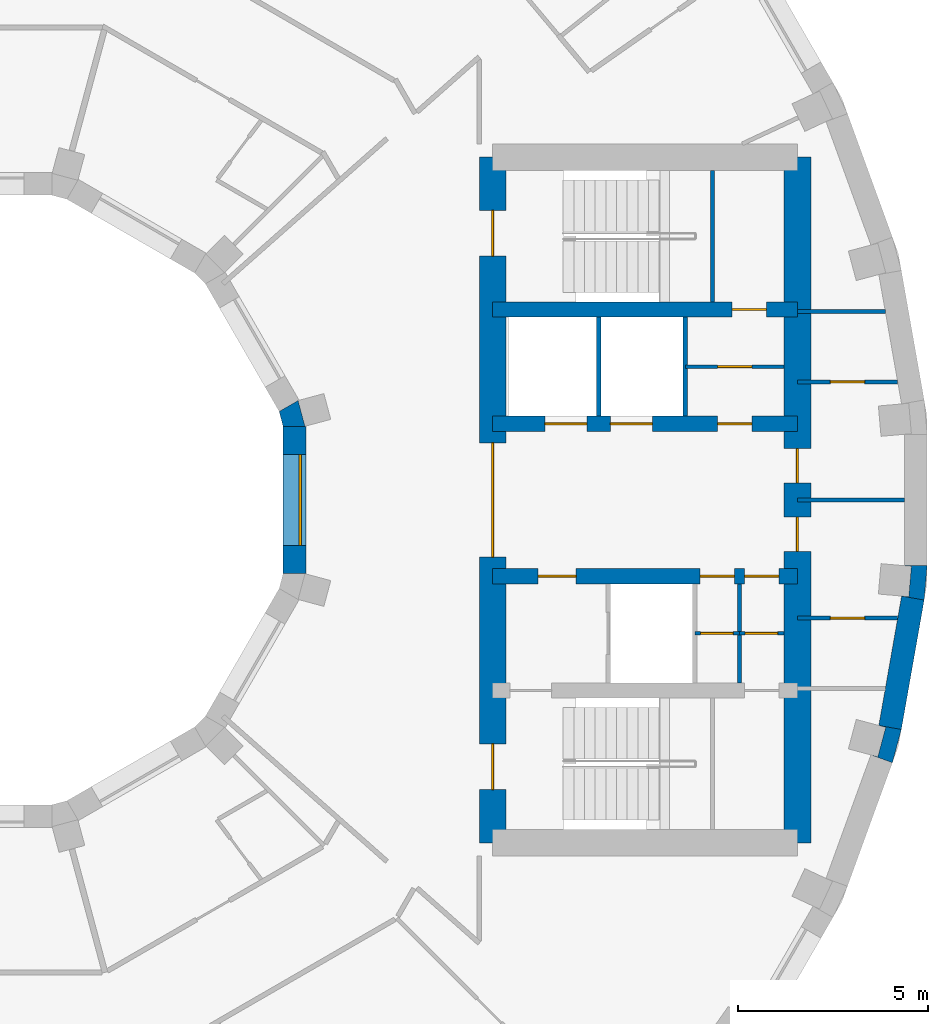
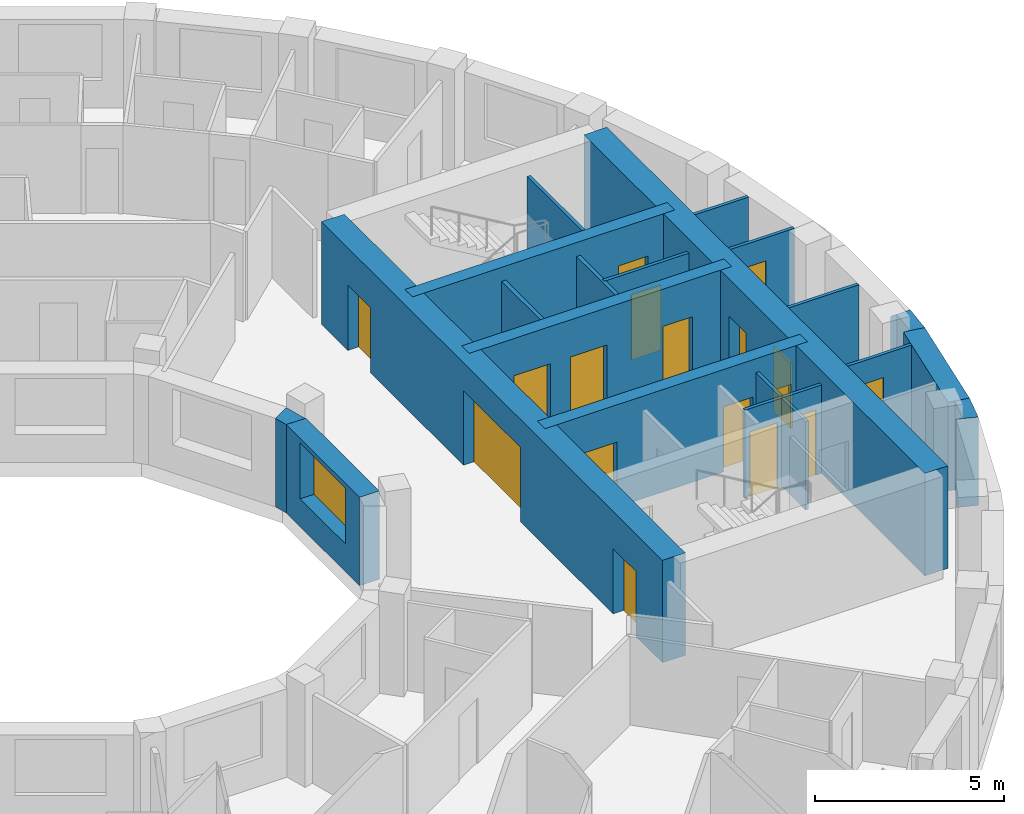
# One storey, part 9 of 14: 21 walls, 17 doors, 1 window, 18 openings.
"""IFC4 building model written with IfcOpenShell, lengths in metres."""

from ifc_helpers import new_model, si_unit, direction, frame, frame_2d, origin, place, context, subcontext, project, spatial, polyline, rectangle, outline, extrude, material, layer, layer_set, type_object, element, fill, save


model = new_model("IFC4")

# Units and contexts
model_context = context("Model", 3, precision=1e-05, world=origin(), true_north=direction((0.0, 1.0)))
body_context = subcontext(model_context, "Body", "Model", "MODEL_VIEW")
ifc_project = project(units=[si_unit("LENGTHUNIT", "METRE"), si_unit("AREAUNIT", "SQUARE_METRE"), si_unit("VOLUMEUNIT", "CUBIC_METRE"), si_unit("PLANEANGLEUNIT", "RADIAN"), si_unit("MASSUNIT", "GRAM", prefix="KILO")], contexts=[model_context])

# Site, building, storey
site_placement = place(None, origin())
site = spatial("IfcSite", under=ifc_project, at=site_placement, CompositionType="ELEMENT")
building_placement = place(site_placement, origin())
building = spatial("IfcBuilding", under=site, at=building_placement, Name="Saqina Gate Tower", CompositionType="ELEMENT")
storey_placement = place(building_placement, frame((0.0, 0.0, 210.300048828125)))
storey = spatial("IfcBuildingStorey", under=building, at=storey_placement, Name="L60", CompositionType="ELEMENT", Elevation=210.300048828125)

# Walls
ifc_material_1 = material(Name="Brick masonry (buff)", Category="masonry")
wall_type_1 = type_object("IfcWallType", Name="BRICK PIER COPING BUFF", PredefinedType="SOLIDWALL", material=ifc_material_1)
wall_1_placement = place(storey_placement, origin())
element("IfcWall", 1, at=wall_1_placement, inside=storey, type_object=wall_type_1, Name="Pier cap L60 column 35", PredefinedType="SOLIDWALL", context=body_context, shape_type="SweptSolid", body=[
    extrude(outline(polyline([(24.22705078125, -6.0234375), (23.635986328125, -5.919189453125), (23.81689453125, -5.967529296875), (23.610107421875, -6.740478515625), (23.428955078125, -6.69189453125), (23.992919921875, -6.897216796875), (24.22705078125, -6.0234375)])), origin(), (0.0, 0.0, 1.0), 2.849853515625),
])
wall_2_placement = place(storey_placement, origin())
element("IfcWall", 2, at=wall_2_placement, inside=storey, type_object=wall_type_1, Name="Pier cap L60 column 36", PredefinedType="SOLIDWALL", context=body_context, shape_type="SweptSolid", body=[
    extrude(outline(polyline([(24.825927734375, -2.6259765625), (24.90478515625, -1.724853515625), (24.304931640625, -1.724853515625), (24.491455078125, -1.7412109375), (24.421630859375, -2.5380859375), (24.235107421875, -2.521728515625), (24.825927734375, -2.6259765625)])), origin(), (0.0, 0.0, 1.0), 2.849853515625),
])
ifc_material_2 = material(Name="Gypsum board on steel studs", Category="steel")
ifc_layer_1 = layer(ifc_material_2, 0.10009765625)
ifc_layer_set_1 = layer_set([ifc_layer_1], Name="CORE PARTITION")
wall_type_2 = type_object("IfcWallType", Name="CORE PARTITION", PredefinedType="PARTITIONING", material=ifc_layer_set_1)
wall_3_placement = place(storey_placement, frame((21.5, 4.949951171875, 0.0), z_axis=(0.0, 0.0, 1.0), x_axis=(1.0, 0.0, 0.0)))
element("IfcWall", 3, at=wall_3_placement, inside=storey, type_object=wall_type_2, Name="L60-CP-E01", PredefinedType="PARTITIONING", context=body_context, shape_type="SweptSolid", body=[
    extrude(rectangle(XDim=2.306884765625, YDim=0.10009765625, at=frame_2d((1.1533203125, 0.0))), origin(), (0.0, 0.0, 1.0), 2.849853515625),
])

# Wall, opening, door
wall_4_placement = place(storey_placement, frame((21.5, 3.10009765625, 0.0), z_axis=(0.0, 0.0, 1.0), x_axis=(1.0, 0.0, 0.0)))
wall_4 = element("IfcWall", 4, at=wall_4_placement, inside=storey, type_object=wall_type_2, Name="L60-CP-E02", PredefinedType="PARTITIONING", context=body_context, shape_type="SweptSolid", body=[
    extrude(rectangle(XDim=2.63330078125, YDim=0.10009765625, at=frame_2d((1.316650390625, 0.0))), origin(), (0.0, 0.0, 1.0), 2.849853515625),
])
opening_1_placement = place(wall_4_placement, frame((0.86669921875, 0.0, 0.0)))
opening_1 = element("IfcOpeningElement", 5, at=opening_1_placement, cuts=wall_4, Name="Opening G18-D94", PredefinedType="OPENING", context=body_context, shape_type="SweptSolid", body=[
    extrude(rectangle(XDim=0.89990234375, YDim=2.10009765625, at=frame_2d((0.449951171875, 1.050048828125))), frame((0.0, 0.06201171875, 0.0), z_axis=(0.0, -1.0, 0.0), x_axis=(1.0, 0.0, 0.0)), (0.0, 0.0, 1.0), 0.1240234375),
])
ifc_material_3 = material(Name="Steel-framed fire door leaf, EI 60", Category="steel")
door_type_1 = type_object("IfcDoorType", Name="SERVICE ROOM DOOR 900", OperationType="SINGLE_SWING_LEFT", PredefinedType="DOOR", material=ifc_material_3)
door_1_placement = place(opening_1_placement, frame((0.89990234375, 0.0, 0.0), z_axis=(0.0, 0.0, 1.0), x_axis=(-1.0, 0.0, 0.0)))
door_1 = element("IfcDoor", 6, at=door_1_placement, inside=storey, type_object=door_type_1, Name="L60-CD-E05", OperationType="SINGLE_SWING_RIGHT", OverallHeight=2.10009765625, OverallWidth=0.89990234375, PredefinedType="DOOR", context=body_context, shape_type="SweptSolid", body=[
    extrude(rectangle(XDim=0.89990234375, YDim=2.10009765625, at=frame_2d((0.449951171875, 1.050048828125))), frame((0.0, 0.02490234375, 0.0), z_axis=(0.0, -1.0, 0.0), x_axis=(1.0, 0.0, 0.0)), (0.0, 0.0, 1.0), 0.050048828125),
])
fill(opening_1, door_1)

wall_5_placement = place(storey_placement, frame((21.5, -3.10009765625, 0.0), z_axis=(0.0, 0.0, 1.0), x_axis=(1.0, 0.0, 0.0)))
wall_5 = element("IfcWall", 7, at=wall_5_placement, inside=storey, type_object=wall_type_2, Name="L60-CP-E04", PredefinedType="PARTITIONING", context=body_context, shape_type="SweptSolid", body=[
    extrude(rectangle(XDim=2.63330078125, YDim=0.10009765625, at=frame_2d((1.316650390625, 0.0))), origin(), (0.0, 0.0, 1.0), 2.849853515625),
])
opening_2_placement = place(wall_5_placement, frame((0.86669921875, 0.0, 0.0)))
opening_2 = element("IfcOpeningElement", 8, at=opening_2_placement, cuts=wall_5, Name="Opening G18-D96", PredefinedType="OPENING", context=body_context, shape_type="SweptSolid", body=[
    extrude(rectangle(XDim=0.89990234375, YDim=2.10009765625, at=frame_2d((0.449951171875, 1.050048828125))), frame((0.0, 0.06201171875, 0.0), z_axis=(0.0, -1.0, 0.0), x_axis=(1.0, 0.0, 0.0)), (0.0, 0.0, 1.0), 0.1240234375),
])
door_2_placement = place(opening_2_placement, origin())
door_2 = element("IfcDoor", 9, at=door_2_placement, inside=storey, type_object=door_type_1, Name="L60-CD-E07", OperationType="SINGLE_SWING_LEFT", OverallHeight=2.10009765625, OverallWidth=0.89990234375, PredefinedType="DOOR", context=body_context, shape_type="SweptSolid", body=[
    extrude(rectangle(XDim=0.89990234375, YDim=2.10009765625, at=frame_2d((0.449951171875, 1.050048828125))), frame((0.0, 0.02490234375, 0.0), z_axis=(0.0, -1.0, 0.0), x_axis=(1.0, 0.0, 0.0)), (0.0, 0.0, 1.0), 0.050048828125),
])
fill(opening_2, door_2)

# Walls
wall_6_placement = place(storey_placement, frame((21.5, 0.0, 0.0), z_axis=(0.0, 0.0, 1.0), x_axis=(1.0, 0.0, 0.0)))
element("IfcWall", 10, at=wall_6_placement, inside=storey, type_object=wall_type_2, Name="L60-CP-E05", PredefinedType="PARTITIONING", context=body_context, shape_type="SweptSolid", body=[
    extrude(rectangle(XDim=2.804931640625, YDim=0.10009765625, at=frame_2d((1.40234375, 0.0))), origin(), (0.0, 0.0, 1.0), 2.849853515625),
])
wall_7_placement = place(storey_placement, frame((19.97998046875, -4.800048828125, 0.0), z_axis=(0.0, 0.0, 1.0), x_axis=(0.0, 1.0, 0.0)))
element("IfcWall", 11, at=wall_7_placement, inside=storey, type_object=wall_type_2, Name="L60-CP-E10", PredefinedType="PARTITIONING", context=body_context, shape_type="SweptSolid", body=[
    extrude(rectangle(XDim=2.60009765625, YDim=0.10009765625, at=frame_2d((1.300048828125, 0.0))), origin(), (0.0, 0.0, 1.0), 2.849853515625),
])

# Wall, opening, door
wall_8_placement = place(storey_placement, frame((18.56005859375, 3.5, 0.0), z_axis=(0.0, 0.0, 1.0), x_axis=(1.0, 0.0, 0.0)))
wall_8 = element("IfcWall", 12, at=wall_8_placement, inside=storey, type_object=wall_type_2, Name="L60-CP-E11", PredefinedType="PARTITIONING", context=body_context, shape_type="SweptSolid", body=[
    extrude(rectangle(XDim=2.58984375, YDim=0.10009765625, at=frame_2d((1.294921875, 0.0))), origin(), (0.0, 0.0, 1.0), 2.849853515625),
])
opening_3_placement = place(wall_8_placement, frame((0.844970703125, 0.0, 0.0)))
opening_3 = element("IfcOpeningElement", 13, at=opening_3_placement, cuts=wall_8, Name="Opening G18-D98", PredefinedType="OPENING", context=body_context, shape_type="SweptSolid", body=[
    extrude(rectangle(XDim=0.89990234375, YDim=2.10009765625, at=frame_2d((0.449951171875, 1.050048828125))), frame((0.0, 0.06201171875, 0.0), z_axis=(0.0, -1.0, 0.0), x_axis=(1.0, 0.0, 0.0)), (0.0, 0.0, 1.0), 0.1240234375),
])
door_3_placement = place(opening_3_placement, origin())
door_3 = element("IfcDoor", 14, at=door_3_placement, inside=storey, type_object=door_type_1, Name="L60-CD-E09", OperationType="SINGLE_SWING_RIGHT", OverallHeight=2.10009765625, OverallWidth=0.89990234375, PredefinedType="DOOR", context=body_context, shape_type="SweptSolid", body=[
    extrude(rectangle(XDim=0.89990234375, YDim=2.10009765625, at=frame_2d((0.449951171875, 1.050048828125))), frame((0.0, 0.02490234375, 0.0), z_axis=(0.0, -1.0, 0.0), x_axis=(1.0, 0.0, 0.0)), (0.0, 0.0, 1.0), 0.050048828125),
])
fill(opening_3, door_3)

wall_9_placement = place(storey_placement, frame((18.81005859375, -3.5, 0.0), z_axis=(0.0, 0.0, 1.0), x_axis=(1.0, 0.0, 0.0)))
wall_9 = element("IfcWall", 15, at=wall_9_placement, inside=storey, type_object=wall_type_2, Name="L60-CP-E12", PredefinedType="PARTITIONING", context=body_context, shape_type="SweptSolid", body=[
    extrude(rectangle(XDim=1.169921875, YDim=0.10009765625, at=frame_2d((0.5849609375, 0.0))), origin(), (0.0, 0.0, 1.0), 2.849853515625),
])
opening_4_placement = place(wall_9_placement, frame((0.14990234375, 0.0, 0.0)))
opening_4 = element("IfcOpeningElement", 16, at=opening_4_placement, cuts=wall_9, Name="Opening G18-D100", PredefinedType="OPENING", context=body_context, shape_type="SweptSolid", body=[
    extrude(rectangle(XDim=0.85009765625, YDim=2.10009765625, at=frame_2d((0.425048828125, 1.050048828125))), frame((0.0, 0.06201171875, 0.0), z_axis=(0.0, -1.0, 0.0), x_axis=(1.0, 0.0, 0.0)), (0.0, 0.0, 1.0), 0.1240234375),
])
ifc_material_4 = material(Name="Steel-framed fire door leaf, EI 60", Category="steel")
door_type_2 = type_object("IfcDoorType", Name="SERVICE ROOM DOOR 850", OperationType="SINGLE_SWING_LEFT", PredefinedType="DOOR", material=ifc_material_4)
door_4_placement = place(opening_4_placement, frame((0.85009765625, 0.0, 0.0), z_axis=(0.0, 0.0, 1.0), x_axis=(-1.0, 0.0, 0.0)))
door_4 = element("IfcDoor", 17, at=door_4_placement, inside=storey, type_object=door_type_2, Name="L60-CD-E11", OperationType="SINGLE_SWING_RIGHT", OverallHeight=2.10009765625, OverallWidth=0.85009765625, PredefinedType="DOOR", context=body_context, shape_type="SweptSolid", body=[
    extrude(rectangle(XDim=0.85009765625, YDim=2.10009765625, at=frame_2d((0.425048828125, 1.050048828125))), frame((0.0, 0.02490234375, 0.0), z_axis=(0.0, -1.0, 0.0), x_axis=(1.0, 0.0, 0.0)), (0.0, 0.0, 1.0), 0.050048828125),
])
fill(opening_4, door_4)

wall_10_placement = place(storey_placement, frame((19.97998046875, -3.5, 0.0), z_axis=(0.0, 0.0, 1.0), x_axis=(1.0, 0.0, 0.0)))
wall_10 = element("IfcWall", 18, at=wall_10_placement, inside=storey, type_object=wall_type_2, Name="L60-CP-E13", PredefinedType="PARTITIONING", context=body_context, shape_type="SweptSolid", body=[
    extrude(rectangle(XDim=1.169921875, YDim=0.10009765625, at=frame_2d((0.5849609375, 0.0))), origin(), (0.0, 0.0, 1.0), 2.849853515625),
])
opening_5_placement = place(wall_10_placement, frame((0.14990234375, 0.0, 0.0)))
opening_5 = element("IfcOpeningElement", 19, at=opening_5_placement, cuts=wall_10, Name="Opening G18-D101", PredefinedType="OPENING", context=body_context, shape_type="SweptSolid", body=[
    extrude(rectangle(XDim=0.85009765625, YDim=2.10009765625, at=frame_2d((0.425048828125, 1.050048828125))), frame((0.0, 0.06201171875, 0.0), z_axis=(0.0, -1.0, 0.0), x_axis=(1.0, 0.0, 0.0)), (0.0, 0.0, 1.0), 0.1240234375),
])
door_5_placement = place(opening_5_placement, frame((0.85009765625, 0.0, 0.0), z_axis=(0.0, 0.0, 1.0), x_axis=(-1.0, 0.0, 0.0)))
door_5 = element("IfcDoor", 20, at=door_5_placement, inside=storey, type_object=door_type_2, Name="L60-CD-E12", OperationType="SINGLE_SWING_LEFT", OverallHeight=2.10009765625, OverallWidth=0.85009765625, PredefinedType="DOOR", context=body_context, shape_type="SweptSolid", body=[
    extrude(rectangle(XDim=0.85009765625, YDim=2.10009765625, at=frame_2d((0.425048828125, 1.050048828125))), frame((0.0, 0.02490234375, 0.0), z_axis=(0.0, -1.0, 0.0), x_axis=(1.0, 0.0, 0.0)), (0.0, 0.0, 1.0), 0.050048828125),
])
fill(opening_5, door_5)

# Wall
ifc_material_5 = material(Name="Glazed ceramic tile", Category="ceramic")
ifc_layer_2 = layer(ifc_material_5, 0.60009765625)
ifc_layer_set_2 = layer_set([ifc_layer_2], Name="FW-TILE")
wall_type_3 = type_object("IfcWallType", Name="FW-TILE", PredefinedType="SOLIDWALL", material=ifc_layer_set_2)
wall_11_placement = place(storey_placement, frame((23.931640625, -5.97119140625, 0.0), z_axis=(0.0, 0.0, 1.0), x_axis=(0.173607684551, 0.984814892183, 0.0)))
element("IfcWall", 21, at=wall_11_placement, inside=storey, type_object=wall_type_3, Name="Facade wall L60 facet 35", PredefinedType="SOLIDWALL", context=body_context, shape_type="SweptSolid", body=[
    extrude(rectangle(XDim=3.44970703125, YDim=0.60009765625, at=frame_2d((1.724853515625, 0.0))), origin(), (0.0, 0.0, 1.0), 2.849853515625),
])

# Wall, opening, window
ifc_material_6 = material(Name="Glazed ceramic tile", Category="ceramic")
ifc_layer_3 = layer(ifc_material_6, 0.60009765625)
ifc_layer_set_3 = layer_set([ifc_layer_3], Name="IW-TILE")
wall_type_4 = type_object("IfcWallType", Name="IW-TILE", PredefinedType="SOLIDWALL", material=ifc_layer_set_3)
wall_12_placement = place(storey_placement, frame((8.300048828125, -1.934814453125, 0.0), z_axis=(0.0, 0.0, 1.0), x_axis=(0.0, 1.0, 0.0)))
wall_12 = element("IfcWall", 22, at=wall_12_placement, inside=storey, type_object=wall_type_4, Name="Well wall L60 facet 12", PredefinedType="SOLIDWALL", context=body_context, shape_type="SweptSolid", body=[
    extrude(rectangle(XDim=3.86962890625, YDim=0.60009765625, at=frame_2d((1.934814453125, 0.0))), origin(), (0.0, 0.0, 1.0), 2.849853515625),
])
opening_6_placement = place(wall_12_placement, frame((0.73486328125, 0.0, 0.89990234375)))
opening_6 = element("IfcOpeningElement", 23, at=opening_6_placement, cuts=wall_12, Name="Opening G18-W34", PredefinedType="OPENING", context=body_context, shape_type="SweptSolid", body=[
    extrude(rectangle(XDim=2.39990234375, YDim=1.800048828125, at=frame_2d((1.199951171875, 0.89990234375))), frame((0.0, 0.31201171875, 0.0), z_axis=(0.0, -1.0, 0.0), x_axis=(1.0, 0.0, 0.0)), (0.0, 0.0, 1.0), 0.6240234375),
])
ifc_material_7 = material(Name="Aluminium glazing", Category="aluminium")
window_type = type_object("IfcWindowType", Name="WN-W", PartitioningType="SINGLE_PANEL", PredefinedType="WINDOW", material=ifc_material_7)
window_placement = place(opening_6_placement, origin())
window = element("IfcWindow", 24, at=window_placement, inside=storey, type_object=window_type, Name="Well window L60 facet 12", OverallHeight=1.800048828125, OverallWidth=2.39990234375, PartitioningType="SINGLE_PANEL", PredefinedType="WINDOW", context=body_context, shape_type="SweptSolid", body=[
    extrude(rectangle(XDim=2.39990234375, YDim=1.800048828125, at=frame_2d((1.199951171875, 0.89990234375))), frame((0.0, -0.119873046875, 0.0), z_axis=(0.0, -1.0, 0.0), x_axis=(1.0, 0.0, 0.0)), (0.0, 0.0, 1.0), 0.06005859375),
])
fill(opening_6, window)

# Walls
ifc_material_8 = material(Name="Autoclaved aerated concrete block", Category="concrete")
ifc_layer_4 = layer(ifc_material_8, 0.1201171875)
ifc_layer_set_4 = layer_set([ifc_layer_4], Name="SHAFT PARTITION")
wall_type_5 = type_object("IfcWallType", Name="SHAFT PARTITION", PredefinedType="PARTITIONING", material=ifc_layer_set_4)
for number, where, z_axis, x_axis, name in (
    (25, (16.280029296875, 2.199951171875, 0.0), (0.0, 0.0, 1.0), (0.0, 1.0, 0.0), "L60-CP-E06"),
    (26, (18.56005859375, 2.199951171875, 0.0), (0.0, 0.0, 1.0), (0.0, 1.0, 0.0), "L60-CP-E07"),
):
    element("IfcWall", number, at=place(storey_placement, frame(where, z_axis=z_axis, x_axis=x_axis)), inside=storey, type_object=wall_type_5, Name=name, PredefinedType="PARTITIONING", context=body_context, shape_type="SweptSolid", body=[
        extrude(rectangle(XDim=2.60009765625, YDim=0.1201171875, at=frame_2d((1.300048828125, 0.0))), origin(), (0.0, 0.0, 1.0), 2.849853515625),
    ])
ifc_material_9 = material(Name="Autoclaved aerated concrete block", Category="concrete")
ifc_layer_5 = layer(ifc_material_9, 0.10009765625)
ifc_layer_set_5 = layer_set([ifc_layer_5], Name="STAIR ENCLOSURE WALL")
wall_type_6 = type_object("IfcWallType", Name="STAIR ENCLOSURE WALL", PredefinedType="PARTITIONING", material=ifc_layer_set_5)
wall_13_placement = place(storey_placement, frame((19.27001953125, 5.199951171875, 0.0), z_axis=(0.0, 0.0, 1.0), x_axis=(0.0, 1.0, 0.0)))
element("IfcWall", 27, at=wall_13_placement, inside=storey, type_object=wall_type_6, Name="L60-CP-E14", PredefinedType="PARTITIONING", context=body_context, shape_type="SweptSolid", body=[
    extrude(rectangle(XDim=3.449951171875, YDim=0.10009765625, at=frame_2d((1.72509765625, 0.0))), origin(), (0.0, 0.0, 1.0), 2.849853515625),
])

# Wall, opening, door
ifc_material_10 = material(Name="Concrete C60/75", Category="concrete")
ifc_layer_6 = layer(ifc_material_10, 0.39990234375)
ifc_layer_set_6 = layer_set([ifc_layer_6], Name="Concrete C60/75")
wall_type_7 = type_object("IfcWallType", Name="STR-CORE WALL-C-I", PredefinedType="SHEAR", material=ifc_layer_set_6)
wall_14_placement = place(storey_placement, frame((13.5, 5.0, 0.0), z_axis=(0.0, 0.0, 1.0), x_axis=(1.0, 0.0, 0.0)))
wall_14 = element("IfcWall", 28, at=wall_14_placement, inside=storey, type_object=wall_type_7, Name="CORE WALL L60 E-X1", PredefinedType="SHEAR", context=body_context, shape_type="SweptSolid", body=[
    extrude(rectangle(XDim=8.0, YDim=0.39990234375, at=frame_2d((4.0, 0.0))), origin(), (0.0, 0.0, 1.0), 3.300048828125),
])
opening_7_placement = place(wall_14_placement, frame((6.284912109375, 0.0, 0.0)))
opening_7 = element("IfcOpeningElement", 29, at=opening_7_placement, cuts=wall_14, Name="Opening G18-D99", PredefinedType="OPENING", context=body_context, shape_type="SweptSolid", body=[
    extrude(rectangle(XDim=0.89990234375, YDim=2.10009765625, at=frame_2d((0.449951171875, 1.050048828125))), frame((0.0, 0.2119140625, 0.0), z_axis=(0.0, -1.0, 0.0), x_axis=(1.0, 0.0, 0.0)), (0.0, 0.0, 1.0), 0.423828125),
])
door_6_placement = place(opening_7_placement, origin())
door_6 = element("IfcDoor", 30, at=door_6_placement, inside=storey, type_object=door_type_1, Name="L60-CD-E10", OperationType="SINGLE_SWING_RIGHT", OverallHeight=2.10009765625, OverallWidth=0.89990234375, PredefinedType="DOOR", context=body_context, shape_type="SweptSolid", body=[
    extrude(rectangle(XDim=0.89990234375, YDim=2.10009765625, at=frame_2d((0.449951171875, 1.050048828125))), frame((0.0, 0.02490234375, 0.0), z_axis=(0.0, -1.0, 0.0), x_axis=(1.0, 0.0, 0.0)), (0.0, 0.0, 1.0), 0.050048828125),
])
fill(opening_7, door_6)

# Wall, openings, doors
wall_15_placement = place(storey_placement, frame((13.5, 2.0, 0.0), z_axis=(0.0, 0.0, 1.0), x_axis=(1.0, 0.0, 0.0)))
wall_15 = element("IfcWall", 31, at=wall_15_placement, inside=storey, type_object=wall_type_7, Name="CORE WALL L60 E-L1", PredefinedType="SHEAR", context=body_context, shape_type="SweptSolid", body=[
    extrude(rectangle(XDim=8.0, YDim=0.39990234375, at=frame_2d((4.0, 0.0))), origin(), (0.0, 0.0, 1.0), 3.300048828125),
])
opening_8_placement = place(wall_15_placement, frame((1.3701171875, 0.0, 0.0)))
opening_8 = element("IfcOpeningElement", 32, at=opening_8_placement, cuts=wall_15, Name="Opening G18-LD1", PredefinedType="OPENING", context=body_context, shape_type="SweptSolid", body=[
    extrude(rectangle(XDim=1.10009765625, YDim=2.10009765625, at=frame_2d((0.550048828125, 1.050048828125))), frame((0.0, 0.2119140625, 0.0), z_axis=(0.0, -1.0, 0.0), x_axis=(1.0, 0.0, 0.0)), (0.0, 0.0, 1.0), 0.423828125),
])
opening_9_placement = place(wall_15_placement, frame((3.090087890625, 0.0, 0.0)))
opening_9 = element("IfcOpeningElement", 33, at=opening_9_placement, cuts=wall_15, Name="Opening G18-LD2", PredefinedType="OPENING", context=body_context, shape_type="SweptSolid", body=[
    extrude(rectangle(XDim=1.10009765625, YDim=2.10009765625, at=frame_2d((0.550048828125, 1.050048828125))), frame((0.0, 0.2119140625, 0.0), z_axis=(0.0, -1.0, 0.0), x_axis=(1.0, 0.0, 0.0)), (0.0, 0.0, 1.0), 0.423828125),
])
opening_10_placement = place(wall_15_placement, frame((5.905029296875, 0.0, 0.0)))
opening_10 = element("IfcOpeningElement", 34, at=opening_10_placement, cuts=wall_15, Name="Opening G18-D90", PredefinedType="OPENING", context=body_context, shape_type="SweptSolid", body=[
    extrude(rectangle(XDim=0.89990234375, YDim=2.10009765625, at=frame_2d((0.449951171875, 1.050048828125))), frame((0.0, 0.2119140625, 0.0), z_axis=(0.0, -1.0, 0.0), x_axis=(1.0, 0.0, 0.0)), (0.0, 0.0, 1.0), 0.423828125),
])
ifc_material_11 = material(Name="Stainless steel", Category="steel")
door_type_3 = type_object("IfcDoorType", Name="LANDING DOOR", OperationType="DOUBLE_DOOR_SLIDING", PredefinedType="DOOR", material=ifc_material_11)
door_7_placement = place(opening_8_placement, origin())
door_7 = element("IfcDoor", 35, at=door_7_placement, inside=storey, type_object=door_type_3, Name="LANDING DOOR HR1", OperationType="DOUBLE_DOOR_SLIDING", OverallHeight=2.10009765625, OverallWidth=1.10009765625, PredefinedType="DOOR", context=body_context, shape_type="SweptSolid", body=[
    extrude(rectangle(XDim=1.10009765625, YDim=2.10009765625, at=frame_2d((0.550048828125, 1.050048828125))), frame((0.0, 0.02490234375, 0.0), z_axis=(0.0, -1.0, 0.0), x_axis=(1.0, 0.0, 0.0)), (0.0, 0.0, 1.0), 0.050048828125),
])
fill(opening_8, door_7)
door_8_placement = place(opening_9_placement, origin())
door_8 = element("IfcDoor", 36, at=door_8_placement, inside=storey, type_object=door_type_3, Name="LANDING DOOR HR2", OperationType="DOUBLE_DOOR_SLIDING", OverallHeight=2.10009765625, OverallWidth=1.10009765625, PredefinedType="DOOR", context=body_context, shape_type="SweptSolid", body=[
    extrude(rectangle(XDim=1.10009765625, YDim=2.10009765625, at=frame_2d((0.550048828125, 1.050048828125))), frame((0.0, 0.02490234375, 0.0), z_axis=(0.0, -1.0, 0.0), x_axis=(1.0, 0.0, 0.0)), (0.0, 0.0, 1.0), 0.050048828125),
])
fill(opening_9, door_8)
door_9_placement = place(opening_10_placement, origin())
door_9 = element("IfcDoor", 37, at=door_9_placement, inside=storey, type_object=door_type_1, Name="L60-CD-E01", OperationType="SINGLE_SWING_RIGHT", OverallHeight=2.10009765625, OverallWidth=0.89990234375, PredefinedType="DOOR", context=body_context, shape_type="SweptSolid", body=[
    extrude(rectangle(XDim=0.89990234375, YDim=2.10009765625, at=frame_2d((0.449951171875, 1.050048828125))), frame((0.0, 0.02490234375, 0.0), z_axis=(0.0, -1.0, 0.0), x_axis=(1.0, 0.0, 0.0)), (0.0, 0.0, 1.0), 0.050048828125),
])
fill(opening_10, door_9)

wall_16_placement = place(storey_placement, frame((13.5, -2.0, 0.0), z_axis=(0.0, 0.0, 1.0), x_axis=(1.0, 0.0, 0.0)))
wall_16 = element("IfcWall", 38, at=wall_16_placement, inside=storey, type_object=wall_type_7, Name="CORE WALL L60 E-L2", PredefinedType="SHEAR", context=body_context, shape_type="SweptSolid", body=[
    extrude(rectangle(XDim=8.0, YDim=0.39990234375, at=frame_2d((4.0, 0.0))), origin(), (0.0, 0.0, 1.0), 3.300048828125),
])
opening_11_placement = place(wall_16_placement, frame((1.18994140625, 0.0, 0.0)))
opening_11 = element("IfcOpeningElement", 39, at=opening_11_placement, cuts=wall_16, Name="Opening G18-D91", PredefinedType="OPENING", context=body_context, shape_type="SweptSolid", body=[
    extrude(rectangle(XDim=1.0, YDim=2.10009765625, at=frame_2d((0.5, 1.050048828125))), frame((0.0, 0.2119140625, 0.0), z_axis=(0.0, -1.0, 0.0), x_axis=(1.0, 0.0, 0.0)), (0.0, 0.0, 1.0), 0.423828125),
])
opening_12_placement = place(wall_16_placement, frame((5.445068359375, 0.0, 0.0)))
opening_12 = element("IfcOpeningElement", 40, at=opening_12_placement, cuts=wall_16, Name="Opening G18-D92", PredefinedType="OPENING", context=body_context, shape_type="SweptSolid", body=[
    extrude(rectangle(XDim=0.89990234375, YDim=2.10009765625, at=frame_2d((0.449951171875, 1.050048828125))), frame((0.0, 0.2119140625, 0.0), z_axis=(0.0, -1.0, 0.0), x_axis=(1.0, 0.0, 0.0)), (0.0, 0.0, 1.0), 0.423828125),
])
opening_13_placement = place(wall_16_placement, frame((6.614990234375, 0.0, 0.0)))
opening_13 = element("IfcOpeningElement", 41, at=opening_13_placement, cuts=wall_16, Name="Opening G18-D93", PredefinedType="OPENING", context=body_context, shape_type="SweptSolid", body=[
    extrude(rectangle(XDim=0.89990234375, YDim=2.10009765625, at=frame_2d((0.449951171875, 1.050048828125))), frame((0.0, 0.2119140625, 0.0), z_axis=(0.0, -1.0, 0.0), x_axis=(1.0, 0.0, 0.0)), (0.0, 0.0, 1.0), 0.423828125),
])
ifc_material_12 = material(Name="Steel", Category="steel")
door_type_4 = type_object("IfcDoorType", Name="FIRE LOBBY DOOR EI 60", OperationType="SINGLE_SWING_LEFT", PredefinedType="DOOR", material=ifc_material_12)
door_10_placement = place(opening_11_placement, origin())
door_10 = element("IfcDoor", 42, at=door_10_placement, inside=storey, type_object=door_type_4, Name="L60-CD-E02", OperationType="SINGLE_SWING_LEFT", OverallHeight=2.10009765625, OverallWidth=1.0, PredefinedType="DOOR", context=body_context, shape_type="SweptSolid", body=[
    extrude(rectangle(XDim=1.0, YDim=2.10009765625, at=frame_2d((0.5, 1.050048828125))), frame((0.0, 0.02490234375, 0.0), z_axis=(0.0, -1.0, 0.0), x_axis=(1.0, 0.0, 0.0)), (0.0, 0.0, 1.0), 0.050048828125),
])
fill(opening_11, door_10)
door_11_placement = place(opening_12_placement, frame((0.89990234375, 0.0, 0.0), z_axis=(0.0, 0.0, 1.0), x_axis=(-1.0, 0.0, 0.0)))
door_11 = element("IfcDoor", 43, at=door_11_placement, inside=storey, type_object=door_type_1, Name="L60-CD-E03", OperationType="SINGLE_SWING_RIGHT", OverallHeight=2.10009765625, OverallWidth=0.89990234375, PredefinedType="DOOR", context=body_context, shape_type="SweptSolid", body=[
    extrude(rectangle(XDim=0.89990234375, YDim=2.10009765625, at=frame_2d((0.449951171875, 1.050048828125))), frame((0.0, 0.02490234375, 0.0), z_axis=(0.0, -1.0, 0.0), x_axis=(1.0, 0.0, 0.0)), (0.0, 0.0, 1.0), 0.050048828125),
])
fill(opening_12, door_11)
door_12_placement = place(opening_13_placement, frame((0.89990234375, 0.0, 0.0), z_axis=(0.0, 0.0, 1.0), x_axis=(-1.0, 0.0, 0.0)))
door_12 = element("IfcDoor", 44, at=door_12_placement, inside=storey, type_object=door_type_1, Name="L60-CD-E04", OperationType="SINGLE_SWING_LEFT", OverallHeight=2.10009765625, OverallWidth=0.89990234375, PredefinedType="DOOR", context=body_context, shape_type="SweptSolid", body=[
    extrude(rectangle(XDim=0.89990234375, YDim=2.10009765625, at=frame_2d((0.449951171875, 1.050048828125))), frame((0.0, 0.02490234375, 0.0), z_axis=(0.0, -1.0, 0.0), x_axis=(1.0, 0.0, 0.0)), (0.0, 0.0, 1.0), 0.050048828125),
])
fill(opening_13, door_12)

ifc_material_13 = material(Name="Concrete C60/75", Category="concrete")
ifc_layer_7 = layer(ifc_material_13, 0.699951171875)
ifc_layer_set_7 = layer_set([ifc_layer_7], Name="Concrete C60/75")
wall_type_8 = type_object("IfcWallType", Name="STR-CORE WALL-C-O", PredefinedType="SHEAR", material=ifc_layer_set_7)
wall_17_placement = place(storey_placement, frame((13.5, -9.0, 0.0), z_axis=(0.0, 0.0, 1.0), x_axis=(0.0, 1.0, 0.0)))
wall_17 = element("IfcWall", 45, at=wall_17_placement, inside=storey, type_object=wall_type_8, Name="CORE WALL L60 E-W1", PredefinedType="SHEAR", context=body_context, shape_type="SweptSolid", body=[
    extrude(rectangle(XDim=18.0, YDim=0.699951171875, at=frame_2d((9.0, 0.0))), origin(), (0.0, 0.0, 1.0), 3.300048828125),
])
opening_14_placement = place(wall_17_placement, frame((15.39990234375, 0.0, 0.0)))
opening_14 = element("IfcOpeningElement", 46, at=opening_14_placement, cuts=wall_17, Name="Opening G18-D104", PredefinedType="OPENING", context=body_context, shape_type="SweptSolid", body=[
    extrude(rectangle(XDim=1.199951171875, YDim=2.10009765625, at=frame_2d((0.60009765625, 1.050048828125))), frame((0.0, 0.362060546875, 0.0), z_axis=(0.0, -1.0, 0.0), x_axis=(1.0, 0.0, 0.0)), (0.0, 0.0, 1.0), 0.723876953125),
])
opening_15_placement = place(wall_17_placement, frame((1.39990234375, 0.0, 0.0)))
opening_15 = element("IfcOpeningElement", 47, at=opening_15_placement, cuts=wall_17, Name="Opening G18-D105", PredefinedType="OPENING", context=body_context, shape_type="SweptSolid", body=[
    extrude(rectangle(XDim=1.199951171875, YDim=2.10009765625, at=frame_2d((0.60009765625, 1.050048828125))), frame((0.0, 0.362060546875, 0.0), z_axis=(0.0, -1.0, 0.0), x_axis=(1.0, 0.0, 0.0)), (0.0, 0.0, 1.0), 0.723876953125),
])
opening_16_placement = place(wall_17_placement, frame((7.5, 0.0, 0.0)))
opening_16 = element("IfcOpeningElement", 48, at=opening_16_placement, cuts=wall_17, Name="Opening G18-D106", PredefinedType="OPENING", context=body_context, shape_type="SweptSolid", body=[
    extrude(rectangle(XDim=3.0, YDim=2.39990234375, at=frame_2d((1.5, 1.199951171875))), frame((0.0, 0.362060546875, 0.0), z_axis=(0.0, -1.0, 0.0), x_axis=(1.0, 0.0, 0.0)), (0.0, 0.0, 1.0), 0.723876953125),
])
ifc_material_14 = material(Name="Steel", Category="steel")
door_type_5 = type_object("IfcDoorType", Name="FIRE DOOR EI 60", OperationType="SINGLE_SWING_LEFT", PredefinedType="DOOR", material=ifc_material_14)
door_13_placement = place(opening_14_placement, frame((1.199951171875, 0.0, 0.0), z_axis=(0.0, 0.0, 1.0), x_axis=(-1.0, 0.0, 0.0)))
door_13 = element("IfcDoor", 49, at=door_13_placement, inside=storey, type_object=door_type_5, Name="L60-CD-E15", OperationType="SINGLE_SWING_LEFT", OverallHeight=2.10009765625, OverallWidth=1.199951171875, PredefinedType="DOOR", context=body_context, shape_type="SweptSolid", body=[
    extrude(rectangle(XDim=1.199951171875, YDim=2.10009765625, at=frame_2d((0.60009765625, 1.050048828125))), frame((0.0, 0.02490234375, 0.0), z_axis=(0.0, -1.0, 0.0), x_axis=(1.0, 0.0, 0.0)), (0.0, 0.0, 1.0), 0.050048828125),
])
fill(opening_14, door_13)
door_14_placement = place(opening_15_placement, frame((1.199951171875, 0.0, 0.0), z_axis=(0.0, 0.0, 1.0), x_axis=(-1.0, 0.0, 0.0)))
door_14 = element("IfcDoor", 50, at=door_14_placement, inside=storey, type_object=door_type_5, Name="L60-CD-E16", OperationType="SINGLE_SWING_RIGHT", OverallHeight=2.10009765625, OverallWidth=1.199951171875, PredefinedType="DOOR", context=body_context, shape_type="SweptSolid", body=[
    extrude(rectangle(XDim=1.199951171875, YDim=2.10009765625, at=frame_2d((0.60009765625, 1.050048828125))), frame((0.0, 0.02490234375, 0.0), z_axis=(0.0, -1.0, 0.0), x_axis=(1.0, 0.0, 0.0)), (0.0, 0.0, 1.0), 0.050048828125),
])
fill(opening_15, door_14)
ifc_material_15 = material(Name="Steel and fire-resisting glass", Category="steel")
door_type_6 = type_object("IfcDoorType", Name="LOBBY SCREEN DOOR", OperationType="DOUBLE_DOOR_SLIDING", PredefinedType="DOOR", material=ifc_material_15)
door_15_placement = place(opening_16_placement, origin())
door_15 = element("IfcDoor", 51, at=door_15_placement, inside=storey, type_object=door_type_6, Name="L60-CD-E17", OperationType="DOUBLE_DOOR_SLIDING", OverallHeight=2.39990234375, OverallWidth=3.0, PredefinedType="DOOR", context=body_context, shape_type="SweptSolid", body=[
    extrude(rectangle(XDim=3.0, YDim=2.39990234375, at=frame_2d((1.5, 1.199951171875))), frame((0.0, 0.02490234375, 0.0), z_axis=(0.0, -1.0, 0.0), x_axis=(1.0, 0.0, 0.0)), (0.0, 0.0, 1.0), 0.050048828125),
])
fill(opening_16, door_15)

wall_18_placement = place(storey_placement, frame((21.5, -9.0, 0.0), z_axis=(0.0, 0.0, 1.0), x_axis=(0.0, 1.0, 0.0)))
wall_18 = element("IfcWall", 52, at=wall_18_placement, inside=storey, type_object=wall_type_8, Name="CORE WALL L60 E-W2", PredefinedType="SHEAR", context=body_context, shape_type="SweptSolid", body=[
    extrude(rectangle(XDim=18.0, YDim=0.699951171875, at=frame_2d((9.0, 0.0))), origin(), (0.0, 0.0, 1.0), 3.300048828125),
])
opening_17_placement = place(wall_18_placement, frame((9.449951171875, 0.0, 0.0)))
opening_17 = element("IfcOpeningElement", 53, at=opening_17_placement, cuts=wall_18, Name="Opening G18-D95", PredefinedType="OPENING", context=body_context, shape_type="SweptSolid", body=[
    extrude(rectangle(XDim=0.89990234375, YDim=2.10009765625, at=frame_2d((0.449951171875, 1.050048828125))), frame((0.0, 0.362060546875, 0.0), z_axis=(0.0, -1.0, 0.0), x_axis=(1.0, 0.0, 0.0)), (0.0, 0.0, 1.0), 0.723876953125),
])
opening_18_placement = place(wall_18_placement, frame((7.64990234375, 0.0, 0.0)))
opening_18 = element("IfcOpeningElement", 54, at=opening_18_placement, cuts=wall_18, Name="Opening G18-D97", PredefinedType="OPENING", context=body_context, shape_type="SweptSolid", body=[
    extrude(rectangle(XDim=0.89990234375, YDim=2.10009765625, at=frame_2d((0.449951171875, 1.050048828125))), frame((0.0, 0.362060546875, 0.0), z_axis=(0.0, -1.0, 0.0), x_axis=(1.0, 0.0, 0.0)), (0.0, 0.0, 1.0), 0.723876953125),
])
door_16_placement = place(opening_17_placement, frame((0.89990234375, 0.0, 0.0), z_axis=(0.0, 0.0, 1.0), x_axis=(-1.0, 0.0, 0.0)))
door_16 = element("IfcDoor", 55, at=door_16_placement, inside=storey, type_object=door_type_1, Name="L60-CD-E06", OperationType="SINGLE_SWING_RIGHT", OverallHeight=2.10009765625, OverallWidth=0.89990234375, PredefinedType="DOOR", context=body_context, shape_type="SweptSolid", body=[
    extrude(rectangle(XDim=0.89990234375, YDim=2.10009765625, at=frame_2d((0.449951171875, 1.050048828125))), frame((0.0, 0.02490234375, 0.0), z_axis=(0.0, -1.0, 0.0), x_axis=(1.0, 0.0, 0.0)), (0.0, 0.0, 1.0), 0.050048828125),
])
fill(opening_17, door_16)
door_17_placement = place(opening_18_placement, frame((0.89990234375, 0.0, 0.0), z_axis=(0.0, 0.0, 1.0), x_axis=(-1.0, 0.0, 0.0)))
door_17 = element("IfcDoor", 56, at=door_17_placement, inside=storey, type_object=door_type_1, Name="L60-CD-E08", OperationType="SINGLE_SWING_LEFT", OverallHeight=2.10009765625, OverallWidth=0.89990234375, PredefinedType="DOOR", context=body_context, shape_type="SweptSolid", body=[
    extrude(rectangle(XDim=0.89990234375, YDim=2.10009765625, at=frame_2d((0.449951171875, 1.050048828125))), frame((0.0, 0.02490234375, 0.0), z_axis=(0.0, -1.0, 0.0), x_axis=(1.0, 0.0, 0.0)), (0.0, 0.0, 1.0), 0.050048828125),
])
fill(opening_18, door_17)

# Wall
ifc_material_16 = material(Name="Glazed ceramic tile", Category="ceramic")
wall_type_9 = type_object("IfcWallType", Name="TILE PIER COPING", PredefinedType="SOLIDWALL", material=ifc_material_16)
wall_19_placement = place(storey_placement, origin())
element("IfcWall", 57, at=wall_19_placement, inside=storey, type_object=wall_type_9, Name="Well pier cap L60 column 1", PredefinedType="SOLIDWALL", context=body_context, shape_type="SweptSolid", body=[
    extrude(outline(polyline([(8.392333984375, 2.611083984375), (7.895751953125, 2.32421875), (8.0, 1.934814453125), (8.573486328125, 1.934814453125), (8.392333984375, 2.611083984375)])), origin(), (0.0, 0.0, 1.0), 2.849853515625),
])

save(model, "model.ifc")
